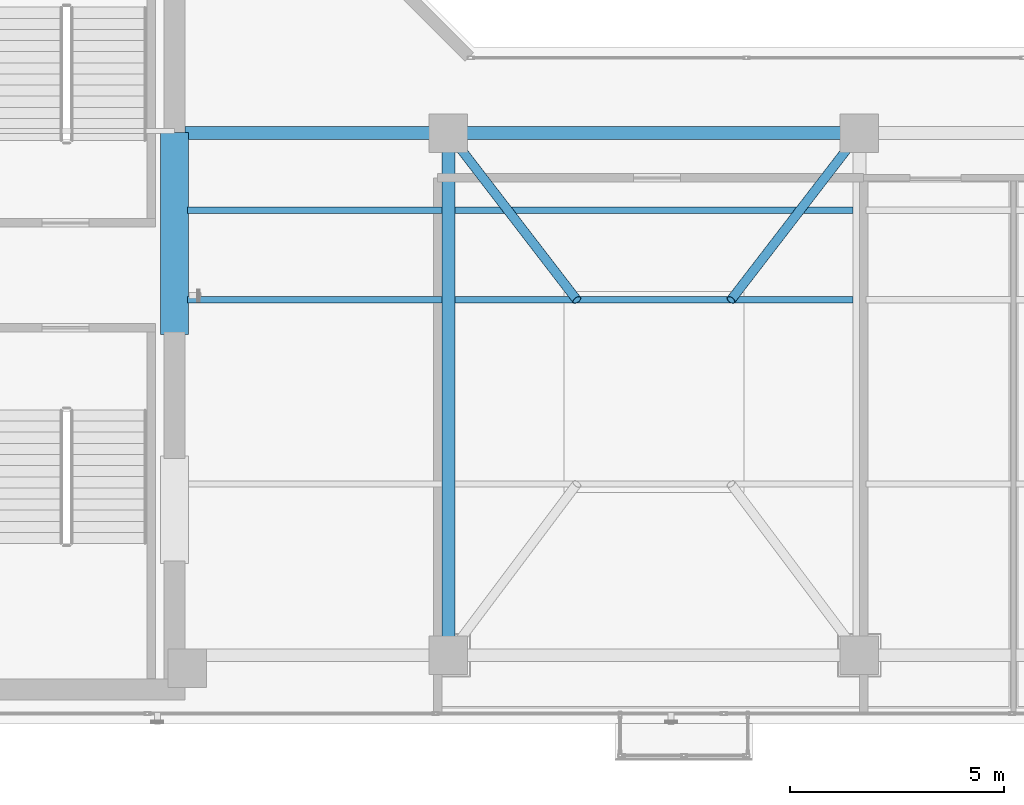
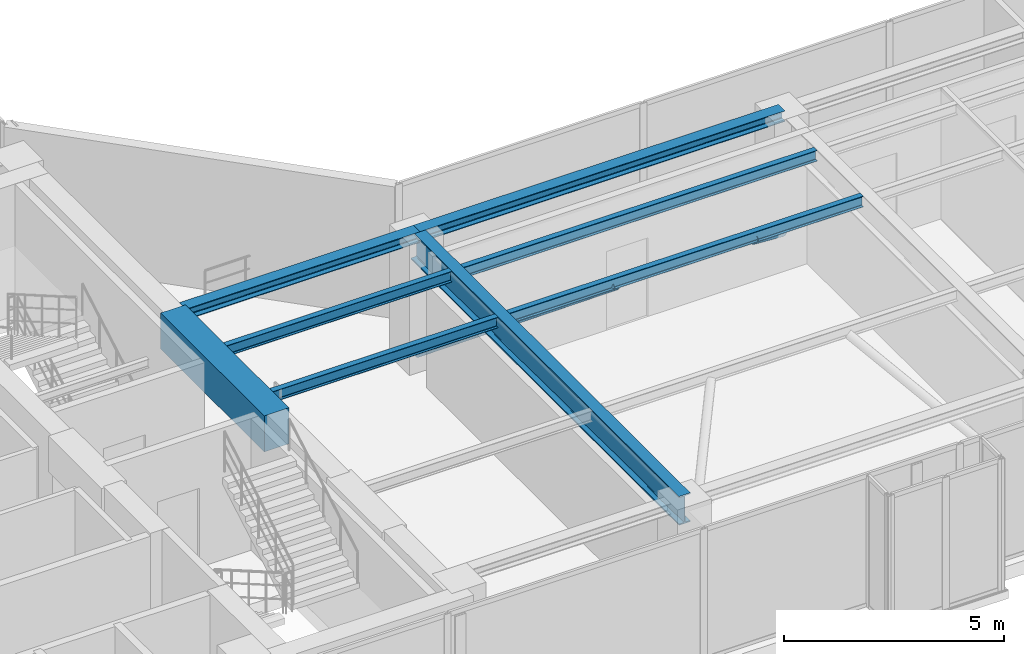
# One storey, part 8 of 31: 8 beams, 2 members.
"""IFC4 building model written with IfcOpenShell, lengths in metres."""

from ifc_helpers import new_model, si_unit, direction, frame, origin, origin_2d, place, context, subcontext, project, spatial, rectangle, hollow_circle, i_section, extrude, material, material_profile, profile_set, type_object, element, save


model = new_model("IFC4")

# Units and contexts
model_context = context("Model", 3, precision=1e-05, world=origin(), true_north=direction((0.0, 1.0)))
body_context = subcontext(model_context, "Body", "Model", "MODEL_VIEW")
ifc_project = project(units=[si_unit("LENGTHUNIT", "METRE"), si_unit("AREAUNIT", "SQUARE_METRE"), si_unit("VOLUMEUNIT", "CUBIC_METRE"), si_unit("PLANEANGLEUNIT", "RADIAN"), si_unit("MASSUNIT", "GRAM", prefix="KILO")], contexts=[model_context])

# Site, building, storey
site_placement = place(None, origin())
site = spatial("IfcSite", under=ifc_project, at=site_placement, CompositionType="ELEMENT")
building_placement = place(site_placement, origin())
building = spatial("IfcBuilding", under=site, at=building_placement, Name="Kolvaren Waterfront Exchange", CompositionType="ELEMENT")
storey_placement = place(building_placement, frame((0.0, 0.0, 344.199951171875)))
storey = spatial("IfcBuildingStorey", under=building, at=storey_placement, Name="L88", CompositionType="ELEMENT", Elevation=344.199951171875)

# Beams
ifc_material_1 = material(Name="Steel S355", Category="steel")
ifc_material_profile_1 = material_profile(ifc_material_1, i_section(OverallWidth=0.300048828125, OverallDepth=0.300048828125, WebThickness=0.010986328125, FlangeThickness=0.01904296875, FilletRadius=0.027099609375, at=origin_2d()), Name="HEB300")
ifc_profile_set_1 = profile_set([ifc_material_profile_1], Name="Steel S355")
beam_type_1 = type_object("IfcBeamType", Name="STR-BM-HEB300", PredefinedType="SPANDREL", material=ifc_profile_set_1)
beam_1_placement = place(storey_placement, frame((21.050048828125, 17.39990234375, 3.510009765625), z_axis=(1.0, 0.0, 0.0), x_axis=(0.0, 1.0, 0.0)))
element("IfcBeam", 1, at=beam_1_placement, inside=storey, type_object=beam_type_1, Name="L88 east-arm spandrel N1", PredefinedType="SPANDREL", context=body_context, shape_type="SweptSolid", body=[
    extrude(i_section(OverallWidth=0.300048828125, OverallDepth=0.300048828125, WebThickness=0.010986328125, FlangeThickness=0.01904296875, FilletRadius=0.027099609375, at=origin_2d()), origin(), (0.0, 0.0, 1.0), 6.14990234375),
])
beam_2_placement = place(storey_placement, frame((27.199951171875, 17.39990234375, 3.510009765625), z_axis=(1.0, 0.0, 0.0), x_axis=(0.0, 1.0, 0.0)))
element("IfcBeam", 2, at=beam_2_placement, inside=storey, type_object=beam_type_1, Name="L88 east-arm spandrel N2", PredefinedType="SPANDREL", context=body_context, shape_type="SweptSolid", body=[
    extrude(i_section(OverallWidth=0.300048828125, OverallDepth=0.300048828125, WebThickness=0.010986328125, FlangeThickness=0.01904296875, FilletRadius=0.027099609375, at=origin_2d()), origin(), (0.0, 0.0, 1.0), 9.60009765625),
])
ifc_material_profile_2 = material_profile(ifc_material_1, i_section(OverallWidth=0.300048828125, OverallDepth=0.800048828125, WebThickness=0.017578125, FlangeThickness=0.032958984375, FilletRadius=0.030029296875, at=origin_2d()), Name="HEB800")
ifc_profile_set_2 = profile_set([ifc_material_profile_2], Name="Steel S355")
beam_type_2 = type_object("IfcBeamType", Name="STR-BM-HEB800", PredefinedType="BEAM", material=ifc_profile_set_2)
beam_3_placement = place(storey_placement, frame((27.199951171875, 5.199951171875, 3.260009765625), z_axis=(0.0, 1.0, 0.0), x_axis=(-1.0, 0.0, 0.0)))
element("IfcBeam", 3, at=beam_3_placement, inside=storey, type_object=beam_type_2, Name="L88 east-arm transverse girder X27", PredefinedType="BEAM", context=body_context, shape_type="SweptSolid", body=[
    extrude(i_section(OverallWidth=0.300048828125, OverallDepth=0.800048828125, WebThickness=0.017578125, FlangeThickness=0.032958984375, FilletRadius=0.030029296875, at=origin_2d()), origin(), (0.0, 0.0, 1.0), 12.199951171875),
])
ifc_material_profile_3 = material_profile(ifc_material_1, i_section(OverallWidth=0.14990234375, OverallDepth=0.300048828125, WebThickness=0.007080078125, FlangeThickness=0.0107421875, FilletRadius=0.014892578125, at=origin_2d()), Name="IPE300")
ifc_profile_set_3 = profile_set([ifc_material_profile_3], Name="Steel S355")
beam_type_3 = type_object("IfcBeamType", Name="STR-BM-IPE300", PredefinedType="JOIST", material=ifc_profile_set_3)
for number, where, z_axis, x_axis, name in (
    (4, (21.10009765625, 13.5, 3.510009765625), (1.0, 0.0, 0.0), (0.0, 1.0, 0.0), "L88 east-arm composite joist 1A"),
    (5, (21.10009765625, 15.60009765625, 3.510009765625), (1.0, 0.0, 0.0), (0.0, 1.0, 0.0), "L88 east-arm composite joist 1C"),
):
    element("IfcBeam", number, at=place(storey_placement, frame(where, z_axis=z_axis, x_axis=x_axis)), inside=storey, type_object=beam_type_3, Name=name, PredefinedType="JOIST", context=body_context, shape_type="SweptSolid", body=[
        extrude(i_section(OverallWidth=0.14990234375, OverallDepth=0.300048828125, WebThickness=0.007080078125, FlangeThickness=0.0107421875, FilletRadius=0.014892578125, at=origin_2d()), origin(), (0.0, 0.0, 1.0), 5.947998046875),
    ])
for number, where, z_axis, x_axis, name in (
    (6, (27.35205078125, 13.5, 3.510009765625), (1.0, 0.0, 0.0), (0.0, 1.0, 0.0), "L88 east-arm composite joist 2A"),
    (7, (27.35205078125, 15.60009765625, 3.510009765625), (1.0, 0.0, 0.0), (0.0, 1.0, 0.0), "L88 east-arm composite joist 2C"),
):
    element("IfcBeam", number, at=place(storey_placement, frame(where, z_axis=z_axis, x_axis=x_axis)), inside=storey, type_object=beam_type_3, Name=name, PredefinedType="JOIST", context=body_context, shape_type="SweptSolid", body=[
        extrude(i_section(OverallWidth=0.14990234375, OverallDepth=0.300048828125, WebThickness=0.007080078125, FlangeThickness=0.0107421875, FilletRadius=0.014892578125, at=origin_2d()), origin(), (0.0, 0.0, 1.0), 9.2958984375),
    ])
ifc_material_2 = material(Name="Concrete C60/75", Category="concrete")
ifc_material_profile_4 = material_profile(ifc_material_2, rectangle(XDim=0.64990234375, YDim=1.0, at=origin_2d()), Name="RC-CB-1000x650")
ifc_profile_set_4 = profile_set([ifc_material_profile_4], Name="Concrete C60/75")
beam_type_4 = type_object("IfcBeamType", Name="STR-CB-1000", PredefinedType="SPANDREL", material=ifc_profile_set_4)
beam_4_placement = place(storey_placement, frame((20.800048828125, 12.68994140625, 3.16015625), z_axis=(0.0, 1.0, 0.0), x_axis=(-1.0, 0.0, 0.0)))
element("IfcBeam", 8, at=beam_4_placement, inside=storey, type_object=beam_type_4, Name="L88 core coupling beam 2", PredefinedType="SPANDREL", context=body_context, shape_type="SweptSolid", body=[
    extrude(rectangle(XDim=0.64990234375, YDim=1.0, at=origin_2d()), origin(), (0.0, 0.0, 1.0), 4.719970703125),
])

# Members
ifc_material_3 = material(Name="Steel S460", Category="steel")
ifc_material_profile_5 = material_profile(ifc_material_3, hollow_circle(Radius=0.109619140625, WallThickness=0.010009765625, at=origin_2d()), Name="CHS219.1x10")
ifc_profile_set_5 = profile_set([ifc_material_profile_5], Name="Steel S460")
member_type = type_object("IfcMemberType", Name="STR-ST-CHS219", PredefinedType="STRUT", material=ifc_profile_set_5)
for number, where, z_axis, x_axis, name in (
    (9, (27.199951171875, 17.39990234375, 0.199951171875), (0.511120810215, -0.664440415232, 0.54522880699), (0.792616610731, 0.609720352615, 0.0), "Crown TUNED MASS DAMPER hydraulic damper strut 3"),
    (10, (36.800048828125, 17.39990234375, 0.199951171875), (-0.511120810215, -0.664440415232, 0.54522880699), (0.792616610731, -0.609720352615, 0.0), "Crown TUNED MASS DAMPER hydraulic damper strut 4"),
):
    element("IfcMember", number, at=place(storey_placement, frame(where, z_axis=z_axis, x_axis=x_axis)), inside=storey, type_object=member_type, Name=name, PredefinedType="STRUT", context=body_context, shape_type="SweptSolid", body=[
        extrude(hollow_circle(Radius=0.109619140625, WallThickness=0.010009765625, at=origin_2d()), origin(), (0.0, 0.0, 1.0), 5.869384765625),
    ])

save(model, "model.ifc")
